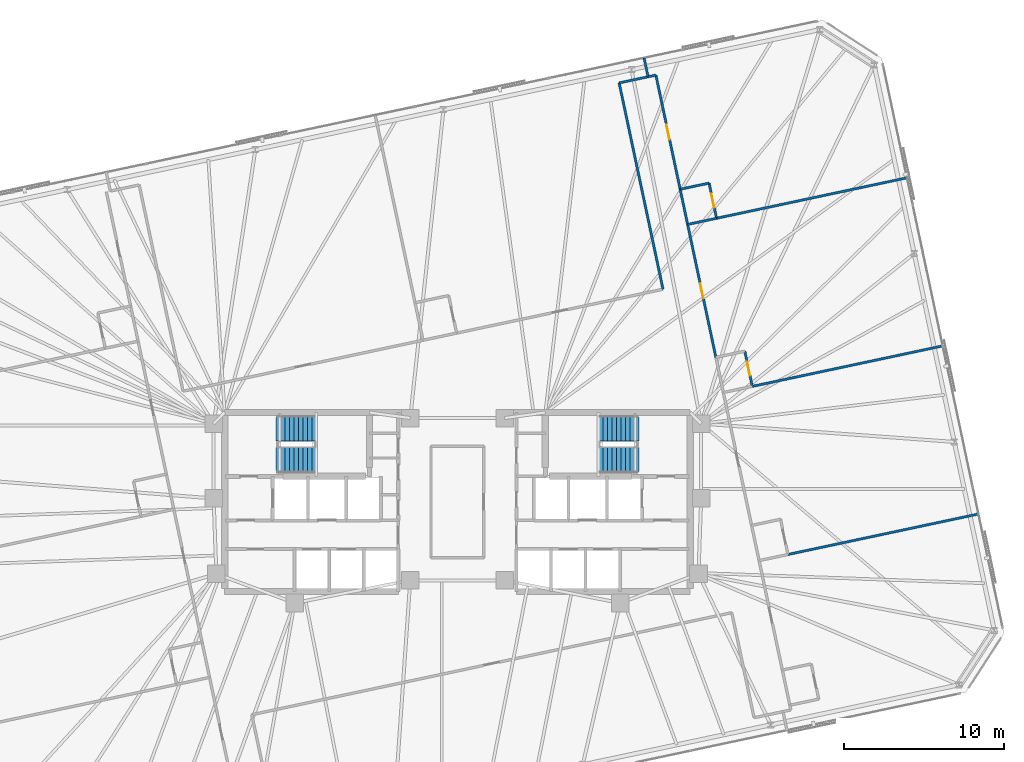
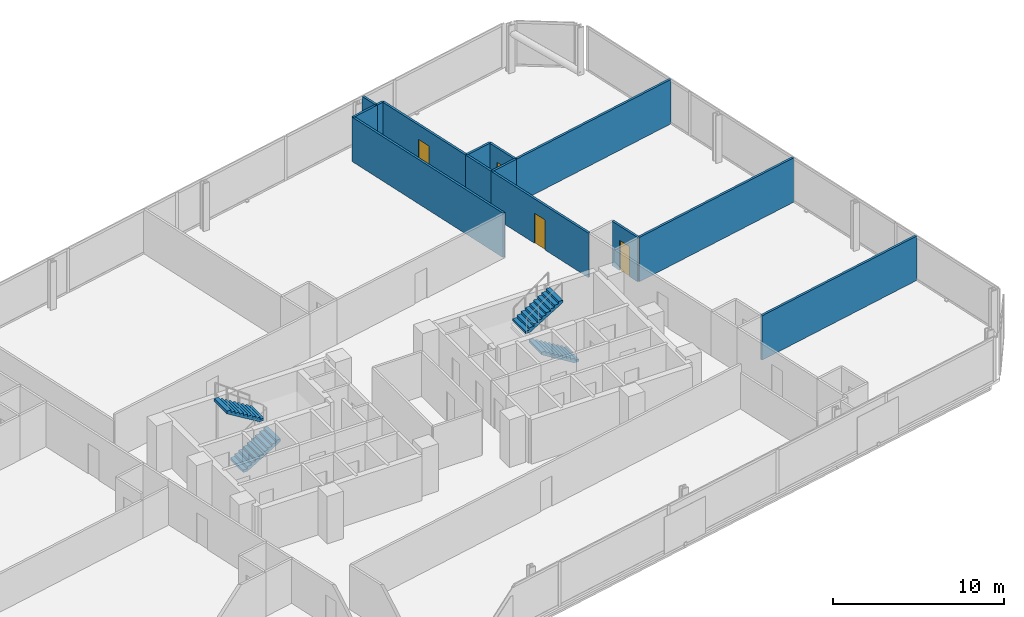
# One storey, part 17 of 19: 14 walls, 4 doors, 4 stair flights, 4 openings, 2 elements without a shape of their own.
"""IFC4 building model written with IfcOpenShell, lengths in metres."""

import ifcopenshell
import ifcopenshell.guid

model = None  # the IFC model being written
_history = None  # IfcOwnerHistory: only IFC2X3 demands one
_inside = {}  # id of a spatial element -> (the spatial element, [elements in it])
_under = {}  # id of a project, library or spatial element -> (it, [spatial elements below it])
_declared = {}  # id of a project -> (the project, [libraries it declares])
_typed = {}  # id of a type object -> (the type object, [elements of that type])
_made_of = {}  # id of a material, layer set ... -> (it, [elements and type objects made of it])


def new_model(schema):
    """Start an empty IFC model of exactly this schema.

    Asked for "IFC4X3", IfcOpenShell would pick the latest addendum, in which some entities
    have other attributes; the version numbers below select the first issue.
    IFC2X3 requires an IfcOwnerHistory on every rooted entity: one is made here for all.
    """
    global model, _history
    if schema == "IFC4X3":
        model = ifcopenshell.file(schema_version=(4, 3, 0, 0))
    else:
        model = ifcopenshell.file(schema=schema)
    _inside.clear()
    _under.clear()
    _declared.clear()
    _typed.clear()
    _made_of.clear()
    _history = None
    if model.schema == "IFC2X3":
        org = make("IfcOrganization", Name="unknown")
        user = make(
            "IfcPersonAndOrganization",
            ThePerson=make("IfcPerson", FamilyName="unknown"),
            TheOrganization=org,
        )
        app = make(
            "IfcApplication",
            ApplicationDeveloper=org,
            Version="unknown",
            ApplicationFullName="unknown",
            ApplicationIdentifier="unknown",
        )
        _history = make(
            "IfcOwnerHistory",
            OwningUser=user,
            OwningApplication=app,
            ChangeAction="ADDED",
            CreationDate=0,
        )
    return model


def make(cls, **values):
    """One entity of the class cls with the attributes given. An attribute that is None is left unset."""
    return model.create_entity(
        cls, **{name: value for name, value in values.items() if value is not None}
    )


def rooted(cls, **values):
    """An entity with a GlobalId (a new one), such as an element, a storey or a relation."""
    return make(cls, GlobalId=ifcopenshell.guid.new(), OwnerHistory=_history, **values)


def si_unit(unit_type, name, prefix=None):
    """IfcSIUnit, for example si_unit("LENGTHUNIT", "METRE", prefix="MILLI")."""
    return make("IfcSIUnit", UnitType=unit_type, Prefix=prefix, Name=name)


def assignment(units):
    """IfcUnitAssignment: the units of a project."""
    return None if units is None else make("IfcUnitAssignment", Units=units)


def point(xyz):
    """IfcCartesianPoint."""
    return None if xyz is None else make("IfcCartesianPoint", Coordinates=xyz)


def direction(xyz):
    """IfcDirection."""
    return None if xyz is None else make("IfcDirection", DirectionRatios=xyz)


def frame(location, z_axis=None, x_axis=None):
    """IfcAxis2Placement3D, a coordinate frame: its origin and axes. An axis left out is left unset."""
    return make(
        "IfcAxis2Placement3D",
        Location=point(location),
        Axis=direction(z_axis),
        RefDirection=direction(x_axis),
    )


def frame_2d(location, x_axis=None):
    """IfcAxis2Placement2D, a coordinate frame in the plane: its origin and x axis."""
    return make(
        "IfcAxis2Placement2D", Location=point(location), RefDirection=direction(x_axis)
    )


def origin():
    """The frame at (0, 0, 0) with its axes left unset."""
    return frame((0.0, 0.0, 0.0))


def place(relative_to, where):
    """IfcLocalPlacement: puts the frame where relative to a parent placement (None: the world)."""
    return make(
        "IfcLocalPlacement", PlacementRelTo=relative_to, RelativePlacement=where
    )


def context(
    kind, dimensions, precision=None, world=None, true_north=None, identifier=None
):
    """IfcGeometricRepresentationContext, for example the 3D "Model" context."""
    return make(
        "IfcGeometricRepresentationContext",
        ContextIdentifier=identifier,
        ContextType=kind,
        CoordinateSpaceDimension=dimensions,
        Precision=precision,
        WorldCoordinateSystem=world,
        TrueNorth=true_north,
    )


def subcontext(parent, identifier, kind, view, scale=None):
    """IfcGeometricRepresentationSubContext, for example "Body" below "Model"."""
    return make(
        "IfcGeometricRepresentationSubContext",
        ContextIdentifier=identifier,
        ContextType=kind,
        ParentContext=parent,
        TargetScale=scale,
        TargetView=view,
    )


def project(units=None, contexts=None):
    """IfcProject with its units and contexts."""
    return rooted(
        "IfcProject",
        Name="project",
        RepresentationContexts=contexts,
        UnitsInContext=assignment(units),
    )


def spatial(cls, under=None, at=None, **own):
    """A site, building, storey or space (cls), placed at a placement, below another one or the project."""
    s = rooted(cls, ObjectPlacement=at, **own)
    if under is not None:
        _under.setdefault(under.id(), (under, []))[1].append(s)
    return s


def polyline(points):
    """IfcPolyline through the points."""
    return make("IfcPolyline", Points=[point(p) for p in points])


def profile(cls, at=None, kind="AREA", **sizes):
    """A parametric profile (cls). Its sizes go by their IFC names, for example OverallWidth=200.0."""
    return make(cls, ProfileType=kind, Position=at, **sizes)


def rectangle(**sizes):
    """IfcRectangleProfileDef."""
    return profile("IfcRectangleProfileDef", **sizes)


def outline(outer, holes=None, kind="AREA"):
    """IfcArbitraryClosedProfileDef: a profile drawn as a closed curve; with holes, ...WithVoids."""
    if holes is None:
        return make("IfcArbitraryClosedProfileDef", ProfileType=kind, OuterCurve=outer)
    return make(
        "IfcArbitraryProfileDefWithVoids",
        ProfileType=kind,
        OuterCurve=outer,
        InnerCurves=holes,
    )


def extrude(swept, where, along, depth):
    """IfcExtrudedAreaSolid: the profile swept, set in the frame where, extruded along a direction by depth."""
    return make(
        "IfcExtrudedAreaSolid",
        SweptArea=swept,
        Position=where,
        ExtrudedDirection=direction(along),
        Depth=depth,
    )


def shape(context_of_items, identifier, shape_type, items):
    """IfcShapeRepresentation: the items that make up one representation, for example the "Body"."""
    return make(
        "IfcShapeRepresentation",
        ContextOfItems=context_of_items,
        RepresentationIdentifier=identifier,
        RepresentationType=shape_type,
        Items=items,
    )


def material(Name=None, Category=None):
    """IfcMaterial."""
    return make("IfcMaterial", Name=Name, Category=Category)


def layer(
    of_material, thickness, ventilated=None, Name=None, Category=None, Priority=None
):
    """IfcMaterialLayer: one layer of a wall or slab, of a material (None: an air gap)."""
    return make(
        "IfcMaterialLayer",
        Material=of_material,
        LayerThickness=thickness,
        IsVentilated=ventilated,
        Name=Name,
        Category=Category,
        Priority=Priority,
    )


def layer_set(layers, Name=None):
    """IfcMaterialLayerSet."""
    return make("IfcMaterialLayerSet", MaterialLayers=layers, LayerSetName=Name)


def made_of(thing, what):
    """Note that an element or type object is made of a material, layer set ...; save() writes the relation."""
    if what is not None:
        _made_of.setdefault(what.id(), (what, []))[1].append(thing)
    return thing


def type_object(cls, material=None, **own):
    """A type object (cls), such as IfcWallType, which elements share."""
    return made_of(rooted(cls, **own), material)


def element(
    cls,
    number,
    at=None,
    inside=None,
    cuts=None,
    type_object=None,
    material=None,
    context=None,
    identifier="Body",
    shape_type=None,
    held_by="IfcProductDefinitionShape",
    body=None,
    shapes=None,
    **own,
):
    """One element of the class cls, such as IfcWall. Its Tag is "e" and its number.

    at: its placement. inside: the storey or other place that contains it. cuts: it is an
    opening in that element (IfcRelVoidsElement). A single representation is given by context,
    identifier, shape_type and body (its items); several are given by shapes. held_by: the class
    of the entity that holds the representations. save() writes the other relations.
    """
    e = rooted(cls, Tag="e%d" % number, ObjectPlacement=at, **own)
    if body is not None:
        shapes = [shape(context, identifier, shape_type, body)]
    if shapes is not None:
        e.Representation = make(held_by, Representations=shapes)
    if inside is not None:
        _inside.setdefault(inside.id(), (inside, []))[1].append(e)
    if cuts is not None:
        rooted(
            "IfcRelVoidsElement", RelatingBuildingElement=cuts, RelatedOpeningElement=e
        )
    if type_object is not None:
        _typed.setdefault(type_object.id(), (type_object, []))[1].append(e)
    return made_of(e, material)


def fill(opening, filler):
    """IfcRelFillsElement: the door or window that sits in an opening."""
    return rooted(
        "IfcRelFillsElement",
        RelatingOpeningElement=opening,
        RelatedBuildingElement=filler,
    )


def aggregate(whole, parts):
    """IfcRelAggregates: a whole, such as a stair, and the parts it consists of."""
    return rooted("IfcRelAggregates", RelatingObject=whole, RelatedObjects=parts)


def save(model, path):
    """Write the relations noted so far, then the file.

    IfcRelAggregates (storeys below a building ...), IfcRelContainedInSpatialStructure (elements
    in a storey), IfcRelDefinesByType, IfcRelAssociatesMaterial and IfcRelDeclares: one each for
    every whole, place, type object, material and project.
    """
    for whole, parts in _under.values():
        aggregate(whole, parts)
    for where, things in _inside.values():
        rooted(
            "IfcRelContainedInSpatialStructure",
            RelatedElements=things,
            RelatingStructure=where,
        )
    for kind, things in _typed.values():
        rooted("IfcRelDefinesByType", RelatedObjects=things, RelatingType=kind)
    for what, things in _made_of.values():
        rooted("IfcRelAssociatesMaterial", RelatedObjects=things, RelatingMaterial=what)
    for by, libraries in _declared.values():
        rooted("IfcRelDeclares", RelatingContext=by, RelatedDefinitions=libraries)
    model.write(path)


model = new_model("IFC4")

# Units and contexts
model_context = context("Model", 3, precision=1e-05, world=origin(), true_north=direction((0.0, 1.0)))
body_context = subcontext(model_context, "Body", "Model", "MODEL_VIEW")
ifc_project = project(units=[si_unit("LENGTHUNIT", "METRE"), si_unit("AREAUNIT", "SQUARE_METRE"), si_unit("VOLUMEUNIT", "CUBIC_METRE"), si_unit("PLANEANGLEUNIT", "RADIAN"), si_unit("MASSUNIT", "GRAM", prefix="KILO")], contexts=[model_context])

# Site, building, storey
site_placement = place(None, origin())
site = spatial("IfcSite", under=ifc_project, at=site_placement, CompositionType="ELEMENT")
building_placement = place(site_placement, origin())
building = spatial("IfcBuilding", under=site, at=building_placement, Name="Menara Jurai Vektor", CompositionType="ELEMENT")
storey_placement = place(building_placement, frame((0.0, 0.0, 192.199951171875)))
storey = spatial("IfcBuildingStorey", under=building, at=storey_placement, Name="L50", CompositionType="ELEMENT", Elevation=192.199951171875)

# Walls
ifc_material_1 = material(Name="Gypsum Fireboard Partition", Category="gypsum")
ifc_layer = layer(ifc_material_1, 0.14990234375)
ifc_layer_set = layer_set([ifc_layer], Name="Gypsum Fireboard Partition")
wall_type = type_object("IfcWallType", Name="INT-WALL-CORR-150", PredefinedType="PARTITIONING", material=ifc_layer_set)
wall_1_placement = place(storey_placement, frame((12.86181640625, 13.3076171875, 0.0), z_axis=(0.0, 0.0, 1.0), x_axis=(-0.207911421929, 0.978147657888, 0.0)))
element("IfcWall", 1, at=wall_1_placement, inside=storey, type_object=wall_type, Name="Interior Wall IW-150 L50", PredefinedType="PARTITIONING", context=body_context, shape_type="SweptSolid", body=[
    extrude(rectangle(XDim=13.195068359375, YDim=0.14990234375, at=frame_2d((6.59765625, 0.0))), origin(), (0.0, 0.0, 1.0), 3.175048828125),
])
wall_2_placement = place(storey_placement, frame((10.118408203125, 26.21435546875, 0.0), z_axis=(0.0, 0.0, 1.0), x_axis=(0.978133353907, 0.20797870558, 0.0)))
element("IfcWall", 2, at=wall_2_placement, inside=storey, type_object=wall_type, Name="Interior Wall IW-150 L50", PredefinedType="PARTITIONING", context=body_context, shape_type="SweptSolid", body=[
    extrude(rectangle(XDim=1.85009765625, YDim=0.14990234375, at=frame_2d((0.925048828125, 0.0))), origin(), (0.0, 0.0, 1.0), 3.175048828125),
])

# Wall, opening, door
wall_3_placement = place(storey_placement, frame((16.169921875, 9.04736328125, 0.0), z_axis=(0.0, 0.0, 1.0), x_axis=(-0.2079164651, 0.978146585917, 0.0)))
wall_3 = element("IfcWall", 3, at=wall_3_placement, inside=storey, type_object=wall_type, Name="Interior Wall IW-150 L50", PredefinedType="PARTITIONING", context=body_context, shape_type="SweptSolid", body=[
    extrude(rectangle(XDim=8.500244140625, YDim=0.14990234375, at=frame_2d((4.25, 0.0))), origin(), (0.0, 0.0, 1.0), 3.175048828125),
])
opening_1_placement = place(wall_3_placement, frame((3.77490234375, 0.0, 0.0)))
opening_1 = element("IfcOpeningElement", 4, at=opening_1_placement, cuts=wall_3, Name="Opening D50-25", PredefinedType="OPENING", context=body_context, shape_type="SweptSolid", body=[
    extrude(rectangle(XDim=0.949951171875, YDim=2.14990234375, at=frame_2d((0.47509765625, 1.074951171875))), frame((0.0, 0.0849609375, 0.0), z_axis=(0.0, -1.0, 0.0), x_axis=(1.0, 0.0, 0.0)), (0.0, 0.0, 1.0), 0.169921875),
])
ifc_material_2 = material(Name="Solid Core Timber Fire Door", Category="wood")
door_type_1 = type_object("IfcDoorType", Name="DR-ENTRY-950", OperationType="NOTDEFINED", PredefinedType="DOOR", material=ifc_material_2)
door_1_placement = place(opening_1_placement, origin())
door_1 = element("IfcDoor", 5, at=door_1_placement, inside=storey, type_object=door_type_1, Name="Interior Door D50-25", OperationType="SINGLE_SWING_RIGHT", OverallHeight=2.14990234375, OverallWidth=0.949951171875, PredefinedType="DOOR", context=body_context, shape_type="SweptSolid", body=[
    extrude(rectangle(XDim=0.949951171875, YDim=2.14990234375, at=frame_2d((0.47509765625, 1.074951171875))), frame((0.0, 0.02490234375, 0.0), z_axis=(0.0, -1.0, 0.0), x_axis=(1.0, 0.0, 0.0)), (0.0, 0.0, 1.0), 0.050048828125),
])
fill(opening_1, door_1)

# Wall
wall_4_placement = place(storey_placement, frame((11.927978515625, 26.59912109375, 0.0), z_axis=(0.0, 0.0, 1.0), x_axis=(0.97822210712, 0.207560856478, 0.0)))
element("IfcWall", 6, at=wall_4_placement, inside=storey, type_object=wall_type, Name="Interior Wall IW-150 L50", PredefinedType="PARTITIONING", context=body_context, shape_type="SweptSolid", body=[
    extrude(rectangle(XDim=0.5, YDim=0.14990234375, at=frame_2d((0.25, 0.0))), origin(), (0.0, 0.0, 1.0), 3.175048828125),
])

# Wall, opening, door
wall_5_placement = place(storey_placement, frame((13.934814453125, 19.5625, 0.0), z_axis=(0.0, 0.0, 1.0), x_axis=(-0.207923154003, 0.978145164088, 0.0)))
wall_5 = element("IfcWall", 7, at=wall_5_placement, inside=storey, type_object=wall_type, Name="Interior Wall IW-150 L50", PredefinedType="PARTITIONING", context=body_context, shape_type="SweptSolid", body=[
    extrude(rectangle(XDim=7.2998046875, YDim=0.14990234375, at=frame_2d((3.64990234375, 0.0))), origin(), (0.0, 0.0, 1.0), 3.175048828125),
])
opening_2_placement = place(wall_5_placement, frame((3.175048828125, 0.0, 0.0)))
opening_2 = element("IfcOpeningElement", 8, at=opening_2_placement, cuts=wall_5, Name="Opening D50-27", PredefinedType="OPENING", context=body_context, shape_type="SweptSolid", body=[
    extrude(rectangle(XDim=0.949951171875, YDim=2.14990234375, at=frame_2d((0.47509765625, 1.074951171875))), frame((0.0, 0.0849609375, 0.0), z_axis=(0.0, -1.0, 0.0), x_axis=(1.0, 0.0, 0.0)), (0.0, 0.0, 1.0), 0.169921875),
])
door_2_placement = place(opening_2_placement, origin())
door_2 = element("IfcDoor", 9, at=door_2_placement, inside=storey, type_object=door_type_1, Name="Interior Door D50-27", OperationType="SINGLE_SWING_RIGHT", OverallHeight=2.14990234375, OverallWidth=0.949951171875, PredefinedType="DOOR", context=body_context, shape_type="SweptSolid", body=[
    extrude(rectangle(XDim=0.949951171875, YDim=2.14990234375, at=frame_2d((0.47509765625, 1.074951171875))), frame((0.0, 0.02490234375, 0.0), z_axis=(0.0, -1.0, 0.0), x_axis=(1.0, 0.0, 0.0)), (0.0, 0.0, 1.0), 0.050048828125),
])
fill(opening_2, door_2)

# Walls
wall_6_placement = place(storey_placement, frame((14.402587890625, 17.36181640625, 0.0), z_axis=(0.0, 0.0, 1.0), x_axis=(-0.207913264065, 0.978147266328, 0.0)))
element("IfcWall", 10, at=wall_6_placement, inside=storey, type_object=wall_type, Name="Interior Wall IW-150 L50", PredefinedType="PARTITIONING", context=body_context, shape_type="SweptSolid", body=[
    extrude(rectangle(XDim=2.249755859375, YDim=0.14990234375, at=frame_2d((1.125, 0.0))), origin(), (0.0, 0.0, 1.0), 3.175048828125),
])
wall_7_placement = place(storey_placement, frame((11.927978515625, 26.59912109375, 0.0), z_axis=(0.0, 0.0, 1.0), x_axis=(-0.20795853359, 0.978137642823, 0.0)))
element("IfcWall", 11, at=wall_7_placement, inside=storey, type_object=wall_type, Name="Interior Wall IW-150 L50", PredefinedType="PARTITIONING", context=body_context, shape_type="SweptSolid", body=[
    extrude(rectangle(XDim=1.19970703125, YDim=0.14990234375, at=frame_2d((0.599853515625, 0.0))), origin(), (0.0, 0.0, 1.0), 3.175048828125),
])
for number, where, z_axis, x_axis, name in (
    (12, (20.682373046875, -3.283935546875, 0.0), (0.0, 0.0, 1.0), (0.97814556055, 0.207921288896, 0.0), "Interior Wall IW-150 L50"),
    (13, (18.447265625, 7.231201171875, 0.0), (0.0, 0.0, 1.0), (0.978149634612, 0.207902121941, 0.0), "Interior Wall IW-150 L50"),
):
    element("IfcWall", number, at=place(storey_placement, frame(where, z_axis=z_axis, x_axis=x_axis)), inside=storey, type_object=wall_type, Name=name, PredefinedType="PARTITIONING", context=body_context, shape_type="SweptSolid", body=[
        extrude(rectangle(XDim=12.18701171875, YDim=0.14990234375, at=frame_2d((6.093505859375, 0.0))), origin(), (0.0, 0.0, 1.0), 3.175048828125),
    ])

# Wall, opening, door
wall_8_placement = place(storey_placement, frame((18.447265625, 7.231201171875, 0.0), z_axis=(0.0, 0.0, 1.0), x_axis=(-0.207891197838, 0.978151956427, 0.0)))
wall_8 = element("IfcWall", 14, at=wall_8_placement, inside=storey, type_object=wall_type, Name="Interior Wall IW-150 L50", PredefinedType="PARTITIONING", context=body_context, shape_type="SweptSolid", body=[
    extrude(rectangle(XDim=2.25, YDim=0.14990234375, at=frame_2d((1.125, 0.0))), origin(), (0.0, 0.0, 1.0), 3.175048828125),
])
opening_3_placement = place(wall_8_placement, frame((0.68505859375, 0.0, 0.0)))
opening_3 = element("IfcOpeningElement", 15, at=opening_3_placement, cuts=wall_8, Name="Opening D50-26", PredefinedType="OPENING", context=body_context, shape_type="SweptSolid", body=[
    extrude(rectangle(XDim=0.8798828125, YDim=2.14990234375, at=frame_2d((0.43994140625, 1.074951171875))), frame((0.0, 0.0849609375, 0.0), z_axis=(0.0, -1.0, 0.0), x_axis=(1.0, 0.0, 0.0)), (0.0, 0.0, 1.0), 0.169921875),
])
ifc_material_3 = material(Name="Moisture-Resistant Timber Door", Category="wood")
door_type_2 = type_object("IfcDoorType", Name="DR-BATH-880", OperationType="NOTDEFINED", PredefinedType="DOOR", material=ifc_material_3)
door_3_placement = place(opening_3_placement, origin())
door_3 = element("IfcDoor", 16, at=door_3_placement, inside=storey, type_object=door_type_2, Name="Interior Door D50-26", OperationType="SINGLE_SWING_LEFT", OverallHeight=2.14990234375, OverallWidth=0.8798828125, PredefinedType="DOOR", context=body_context, shape_type="SweptSolid", body=[
    extrude(rectangle(XDim=0.8798828125, YDim=2.14990234375, at=frame_2d((0.43994140625, 1.074951171875))), frame((0.0, 0.02490234375, 0.0), z_axis=(0.0, -1.0, 0.0), x_axis=(1.0, 0.0, 0.0)), (0.0, 0.0, 1.0), 0.050048828125),
])
fill(opening_3, door_3)

# Walls
wall_9_placement = place(storey_placement, frame((16.212158203125, 17.746337890625, 0.0), z_axis=(0.0, 0.0, 1.0), x_axis=(0.978149634612, 0.207902121941, 0.0)))
element("IfcWall", 17, at=wall_9_placement, inside=storey, type_object=wall_type, Name="Interior Wall IW-150 L50", PredefinedType="PARTITIONING", context=body_context, shape_type="SweptSolid", body=[
    extrude(rectangle(XDim=12.18701171875, YDim=0.14990234375, at=frame_2d((6.093505859375, 0.0))), origin(), (0.0, 0.0, 1.0), 3.175048828125),
])
for number, where, z_axis, x_axis, name in (
    (18, (14.402587890625, 17.36181640625, 0.0), (0.0, 0.0, 1.0), (0.978160192495, 0.207852442415, 0.0), "Interior Wall IW-150 L50"),
    (19, (13.934814453125, 19.5625, 0.0), (0.0, 0.0, 1.0), (0.978160192495, 0.207852442415, 0.0), "Interior Wall IW-150 L50"),
):
    element("IfcWall", number, at=place(storey_placement, frame(where, z_axis=z_axis, x_axis=x_axis)), inside=storey, type_object=wall_type, Name=name, PredefinedType="PARTITIONING", context=body_context, shape_type="SweptSolid", body=[
        extrude(rectangle(XDim=1.849853515625, YDim=0.14990234375, at=frame_2d((0.9248046875, 0.0))), origin(), (0.0, 0.0, 1.0), 3.175048828125),
    ])

# Wall, opening, door
wall_10_placement = place(storey_placement, frame((16.212158203125, 17.746337890625, 0.0), z_axis=(0.0, 0.0, 1.0), x_axis=(-0.207913264065, 0.978147266328, 0.0)))
wall_10 = element("IfcWall", 20, at=wall_10_placement, inside=storey, type_object=wall_type, Name="Interior Wall IW-150 L50", PredefinedType="PARTITIONING", context=body_context, shape_type="SweptSolid", body=[
    extrude(rectangle(XDim=2.249755859375, YDim=0.14990234375, at=frame_2d((1.125, 0.0))), origin(), (0.0, 0.0, 1.0), 3.175048828125),
])
opening_4_placement = place(wall_10_placement, frame((0.68505859375, 0.0, 0.0)))
opening_4 = element("IfcOpeningElement", 21, at=opening_4_placement, cuts=wall_10, Name="Opening D50-28", PredefinedType="OPENING", context=body_context, shape_type="SweptSolid", body=[
    extrude(rectangle(XDim=0.8798828125, YDim=2.14990234375, at=frame_2d((0.43994140625, 1.074951171875))), frame((0.0, 0.0849609375, 0.0), z_axis=(0.0, -1.0, 0.0), x_axis=(1.0, 0.0, 0.0)), (0.0, 0.0, 1.0), 0.169921875),
])
door_4_placement = place(opening_4_placement, origin())
door_4 = element("IfcDoor", 22, at=door_4_placement, inside=storey, type_object=door_type_2, Name="Interior Door D50-28", OperationType="SINGLE_SWING_LEFT", OverallHeight=2.14990234375, OverallWidth=0.8798828125, PredefinedType="DOOR", context=body_context, shape_type="SweptSolid", body=[
    extrude(rectangle(XDim=0.8798828125, YDim=2.14990234375, at=frame_2d((0.43994140625, 1.074951171875))), frame((0.0, 0.02490234375, 0.0), z_axis=(0.0, -1.0, 0.0), x_axis=(1.0, 0.0, 0.0)), (0.0, 0.0, 1.0), 0.050048828125),
])
fill(opening_4, door_4)

# Stair, stair flights
ifc_material_4 = material(Name="Concrete C40/50", Category="concrete")
stair_type = type_object("IfcStairType", Name="STAIR-DOGLEG-1500", PredefinedType="HALF_TURN_STAIR", material=ifc_material_4)
stair_1_placement = place(storey_placement, origin())
stair_1 = element("IfcStair", 23, at=stair_1_placement, inside=storey, type_object=stair_type, Name="Protected Exit Stair ST1 L50", PredefinedType="HALF_TURN_STAIR")
stair_flight_type = type_object("IfcStairFlightType", Name="STAIR-FLIGHT-1500", PredefinedType="STRAIGHT", material=ifc_material_4)
stair_flight_1_placement = place(storey_placement, frame((-11.35009765625, 2.64990234375, 0.0), z_axis=(0.0, 0.0, 1.0), x_axis=(1.0, 0.0, 0.0)))
stair_flight_1 = element("IfcStairFlight", 24, at=stair_flight_1_placement, type_object=stair_flight_type, Name="ST1 flight 1", NumberOfRisers=10, NumberOfTreads=9, PredefinedType="STRAIGHT", RiserHeight=0.17, TreadLength=0.28, context=body_context, shape_type="SweptSolid", body=[
    extrude(outline(polyline([(0.0, 0.0), (0.0, 0.169921875), (0.280029296875, 0.169921875), (0.280029296875, 0.340087890625), (0.56005859375, 0.340087890625), (0.56005859375, 0.510009765625), (0.840087890625, 0.510009765625), (0.840087890625, 0.679931640625), (1.1201171875, 0.679931640625), (1.1201171875, 0.85009765625), (1.39990234375, 0.85009765625), (1.39990234375, 1.02001953125), (1.679931640625, 1.02001953125), (1.679931640625, 1.18994140625), (1.9599609375, 1.18994140625), (1.9599609375, 1.360107421875), (2.239990234375, 1.360107421875), (2.239990234375, 1.530029296875), (2.52001953125, 1.530029296875), (2.52001953125, 1.699951171875), (2.52001953125, 1.343017578125), (0.30810546875, 0.0), (0.0, 0.0)])), frame((0.0, 0.75, 0.0), z_axis=(0.0, -1.0, 0.0), x_axis=(1.0, 0.0, 0.0)), (0.0, 0.0, 1.0), 1.5),
])
stair_flight_2_placement = place(storey_placement, frame((-8.830078125, 4.550048828125, 1.699951171875), z_axis=(0.0, 0.0, 1.0), x_axis=(-1.0, 0.0, 0.0)))
stair_flight_2 = element("IfcStairFlight", 25, at=stair_flight_2_placement, type_object=stair_flight_type, Name="ST1 flight 2", NumberOfRisers=10, NumberOfTreads=9, PredefinedType="STRAIGHT", RiserHeight=0.17, TreadLength=0.28, context=body_context, shape_type="SweptSolid", body=[
    extrude(outline(polyline([(0.0, 0.0), (0.0, 0.169921875), (0.280029296875, 0.169921875), (0.280029296875, 0.340087890625), (0.56005859375, 0.340087890625), (0.56005859375, 0.510009765625), (0.840087890625, 0.510009765625), (0.840087890625, 0.679931640625), (1.1201171875, 0.679931640625), (1.1201171875, 0.85009765625), (1.39990234375, 0.85009765625), (1.39990234375, 1.02001953125), (1.679931640625, 1.02001953125), (1.679931640625, 1.18994140625), (1.9599609375, 1.18994140625), (1.9599609375, 1.360107421875), (2.239990234375, 1.360107421875), (2.239990234375, 1.530029296875), (2.52001953125, 1.530029296875), (2.52001953125, 1.699951171875), (2.52001953125, 1.343017578125), (0.30810546875, 0.0), (0.0, 0.0)])), frame((0.0, 0.75, 0.0), z_axis=(0.0, -1.0, 0.0), x_axis=(1.0, 0.0, 0.0)), (0.0, 0.0, 1.0), 1.5),
])
aggregate(stair_1, [stair_flight_1, stair_flight_2])

stair_2_placement = place(storey_placement, origin())
stair_2 = element("IfcStair", 26, at=stair_2_placement, inside=storey, type_object=stair_type, Name="Protected Exit Stair ST2 L50", PredefinedType="HALF_TURN_STAIR")
stair_flight_3_placement = place(storey_placement, frame((11.35009765625, 2.64990234375, 0.0), z_axis=(0.0, 0.0, 1.0), x_axis=(-1.0, 0.0, 0.0)))
stair_flight_3 = element("IfcStairFlight", 27, at=stair_flight_3_placement, type_object=stair_flight_type, Name="ST2 flight 1", NumberOfRisers=10, NumberOfTreads=9, PredefinedType="STRAIGHT", RiserHeight=0.17, TreadLength=0.28, context=body_context, shape_type="SweptSolid", body=[
    extrude(outline(polyline([(0.0, 0.0), (0.0, 0.169921875), (0.280029296875, 0.169921875), (0.280029296875, 0.340087890625), (0.56005859375, 0.340087890625), (0.56005859375, 0.510009765625), (0.840087890625, 0.510009765625), (0.840087890625, 0.679931640625), (1.1201171875, 0.679931640625), (1.1201171875, 0.85009765625), (1.39990234375, 0.85009765625), (1.39990234375, 1.02001953125), (1.679931640625, 1.02001953125), (1.679931640625, 1.18994140625), (1.9599609375, 1.18994140625), (1.9599609375, 1.360107421875), (2.239990234375, 1.360107421875), (2.239990234375, 1.530029296875), (2.52001953125, 1.530029296875), (2.52001953125, 1.699951171875), (2.52001953125, 1.343017578125), (0.30810546875, 0.0), (0.0, 0.0)])), frame((0.0, 0.75, 0.0), z_axis=(0.0, -1.0, 0.0), x_axis=(1.0, 0.0, 0.0)), (0.0, 0.0, 1.0), 1.5),
])
stair_flight_4_placement = place(storey_placement, frame((8.830078125, 4.550048828125, 1.699951171875), z_axis=(0.0, 0.0, 1.0), x_axis=(1.0, 0.0, 0.0)))
stair_flight_4 = element("IfcStairFlight", 28, at=stair_flight_4_placement, type_object=stair_flight_type, Name="ST2 flight 2", NumberOfRisers=10, NumberOfTreads=9, PredefinedType="STRAIGHT", RiserHeight=0.17, TreadLength=0.28, context=body_context, shape_type="SweptSolid", body=[
    extrude(outline(polyline([(0.0, 0.0), (0.0, 0.169921875), (0.280029296875, 0.169921875), (0.280029296875, 0.340087890625), (0.56005859375, 0.340087890625), (0.56005859375, 0.510009765625), (0.840087890625, 0.510009765625), (0.840087890625, 0.679931640625), (1.1201171875, 0.679931640625), (1.1201171875, 0.85009765625), (1.39990234375, 0.85009765625), (1.39990234375, 1.02001953125), (1.679931640625, 1.02001953125), (1.679931640625, 1.18994140625), (1.9599609375, 1.18994140625), (1.9599609375, 1.360107421875), (2.239990234375, 1.360107421875), (2.239990234375, 1.530029296875), (2.52001953125, 1.530029296875), (2.52001953125, 1.699951171875), (2.52001953125, 1.343017578125), (0.30810546875, 0.0), (0.0, 0.0)])), frame((0.0, 0.75, 0.0), z_axis=(0.0, -1.0, 0.0), x_axis=(1.0, 0.0, 0.0)), (0.0, 0.0, 1.0), 1.5),
])
aggregate(stair_2, [stair_flight_3, stair_flight_4])

save(model, "model.ifc")
